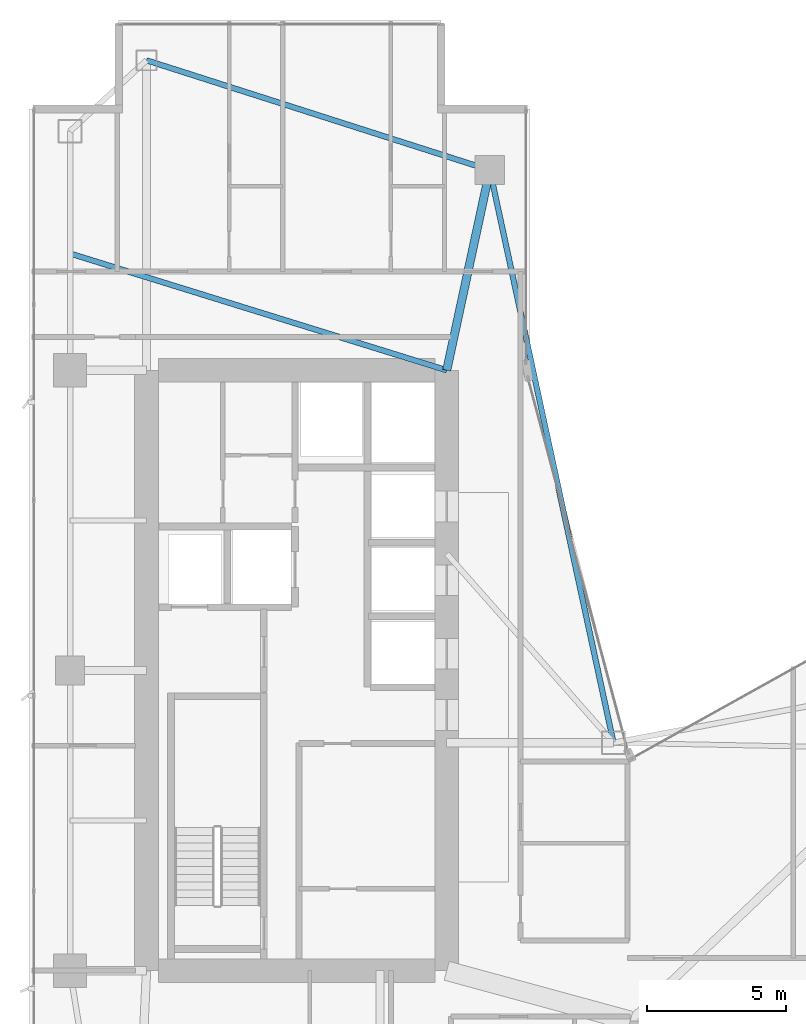
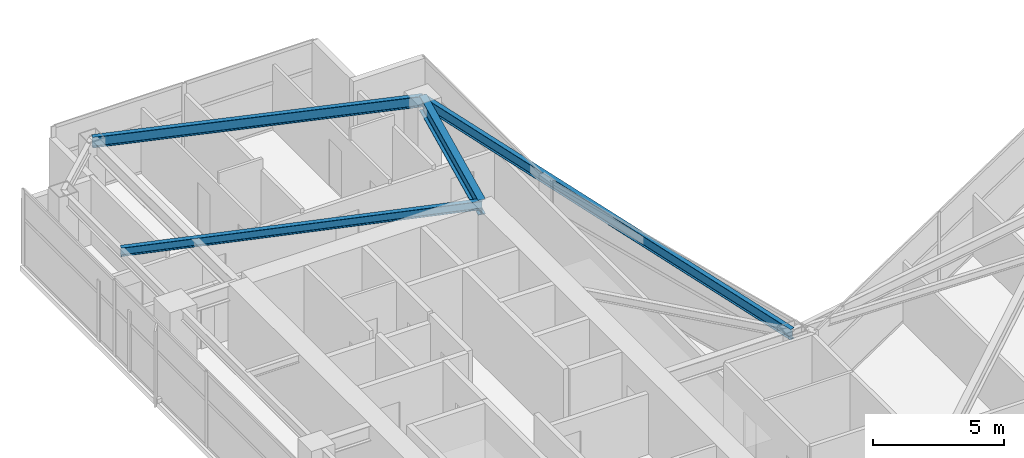
# One storey, part 17 of 28: 4 beams.
"""IFC4 building model written with IfcOpenShell, lengths in metres."""

from ifc_helpers import new_model, si_unit, direction, frame, origin, origin_2d, place, context, subcontext, project, spatial, i_section, extrude, material, material_profile, profile_set, type_object, element, save


model = new_model("IFC4")

# Units and contexts
model_context = context("Model", 3, precision=1e-05, world=origin(), true_north=direction((0.0, 1.0)))
body_context = subcontext(model_context, "Body", "Model", "MODEL_VIEW")
ifc_project = project(units=[si_unit("LENGTHUNIT", "METRE"), si_unit("AREAUNIT", "SQUARE_METRE"), si_unit("VOLUMEUNIT", "CUBIC_METRE"), si_unit("PLANEANGLEUNIT", "RADIAN"), si_unit("MASSUNIT", "GRAM", prefix="KILO")], contexts=[model_context])

# Site, building, storey
site_placement = place(None, origin())
site = spatial("IfcSite", under=ifc_project, at=site_placement, CompositionType="ELEMENT")
building_placement = place(site_placement, origin())
building = spatial("IfcBuilding", under=site, at=building_placement, Name="Calvorn Quay Hotel", CompositionType="ELEMENT")
storey_placement = place(building_placement, frame((0.0, 0.0, 116.39990234375)))
storey = spatial("IfcBuildingStorey", under=building, at=storey_placement, Name="L28", CompositionType="ELEMENT", Elevation=116.39990234375)

# Beams
ifc_material_1 = material(Name="Steel Q390GJC", Category="steel")
ifc_material_profile_1 = material_profile(ifc_material_1, i_section(OverallWidth=0.300048828125, OverallDepth=0.699951171875, WebThickness=0.012939453125, FlangeThickness=0.02392578125, FilletRadius=0.02392578125, at=origin_2d()), Name="HN700x300x13x24")
ifc_profile_set_1 = profile_set([ifc_material_profile_1], Name="Steel Q390GJC")
beam_type_1 = type_object("IfcBeamType", Name="BM-GIRD-MAIN", PredefinedType="BEAM", material=ifc_profile_set_1)
beam_1_placement = place(storey_placement, frame((16.550048828125, 45.60009765625, 3.190185546875), z_axis=(-0.210457140491, -0.97760308511, 0.0), x_axis=(0.97760308511, -0.210457140491, 0.0)))
element("IfcBeam", 1, at=beam_1_placement, inside=storey, type_object=beam_type_1, Name="Beam BG-L28-W6", PredefinedType="BEAM", context=body_context, shape_type="SweptSolid", body=[
    extrude(i_section(OverallWidth=0.300048828125, OverallDepth=0.699951171875, WebThickness=0.012939453125, FlangeThickness=0.02392578125, FilletRadius=0.02392578125, at=origin_2d()), origin(), (0.0, 0.0, 1.0), 7.365234375),
])
ifc_material_2 = material(Name="Steel Q355B", Category="steel")
ifc_material_profile_2 = material_profile(ifc_material_2, i_section(OverallWidth=0.199951171875, OverallDepth=0.39990234375, WebThickness=0.008056640625, FlangeThickness=0.012939453125, FilletRadius=0.01611328125, at=origin_2d()), Name="HN400x200x8x13")
ifc_profile_set_2 = profile_set([ifc_material_profile_2], Name="Steel Q355B")
beam_type_2 = type_object("IfcBeamType", Name="BM-JOIST-TYP", PredefinedType="JOIST", material=ifc_profile_set_2)
beam_2_placement = place(storey_placement, frame((1.449951171875, 42.60009765625, 3.340087890625), z_axis=(0.955163702122, -0.296078202759, 0.0), x_axis=(0.296078202759, 0.955163702122, 0.0)))
element("IfcBeam", 2, at=beam_2_placement, inside=storey, type_object=beam_type_2, Name="Beam BJ-L28-W2", PredefinedType="JOIST", context=body_context, shape_type="SweptSolid", body=[
    extrude(i_section(OverallWidth=0.199951171875, OverallDepth=0.39990234375, WebThickness=0.008056640625, FlangeThickness=0.012939453125, FilletRadius=0.01611328125, at=origin_2d()), origin(), (0.0, 0.0, 1.0), 14.18603515625),
])
ifc_material_3 = material(Name="Steel Q355B", Category="steel")
ifc_material_profile_3 = material_profile(ifc_material_3, i_section(OverallWidth=0.199951171875, OverallDepth=0.5, WebThickness=0.010009765625, FlangeThickness=0.01611328125, FilletRadius=0.01611328125, at=origin_2d()), Name="HN500x200x10x16")
ifc_profile_set_3 = profile_set([ifc_material_profile_3], Name="Steel Q355B")
beam_type_3 = type_object("IfcBeamType", Name="BM-SPANDREL-Z1", PredefinedType="SPANDREL", material=ifc_profile_set_3)
beam_3_placement = place(storey_placement, frame((4.199951171875, 49.550048828125, 3.2900390625), z_axis=(0.952470702374, -0.304630203885, 0.0), x_axis=(0.304630203885, 0.952470702374, 0.0)))
element("IfcBeam", 3, at=beam_3_placement, inside=storey, type_object=beam_type_3, Name="Beam BSP-L28-W6", PredefinedType="SPANDREL", context=body_context, shape_type="SweptSolid", body=[
    extrude(i_section(OverallWidth=0.199951171875, OverallDepth=0.5, WebThickness=0.010009765625, FlangeThickness=0.01611328125, FilletRadius=0.01611328125, at=origin_2d()), origin(), (0.0, 0.0, 1.0), 12.96630859375),
])
beam_4_placement = place(storey_placement, frame((16.550048828125, 45.60009765625, 3.2900390625), z_axis=(0.211145848376, -0.977454567084, 0.0), x_axis=(0.977454567084, 0.211145848376, 0.0)))
element("IfcBeam", 4, at=beam_4_placement, inside=storey, type_object=beam_type_3, Name="Beam BSP-L28-W7", PredefinedType="SPANDREL", context=body_context, shape_type="SweptSolid", body=[
    extrude(i_section(OverallWidth=0.199951171875, OverallDepth=0.5, WebThickness=0.010009765625, FlangeThickness=0.01611328125, FilletRadius=0.01611328125, at=origin_2d()), origin(), (0.0, 0.0, 1.0), 21.0751953125),
])

save(model, "model.ifc")
